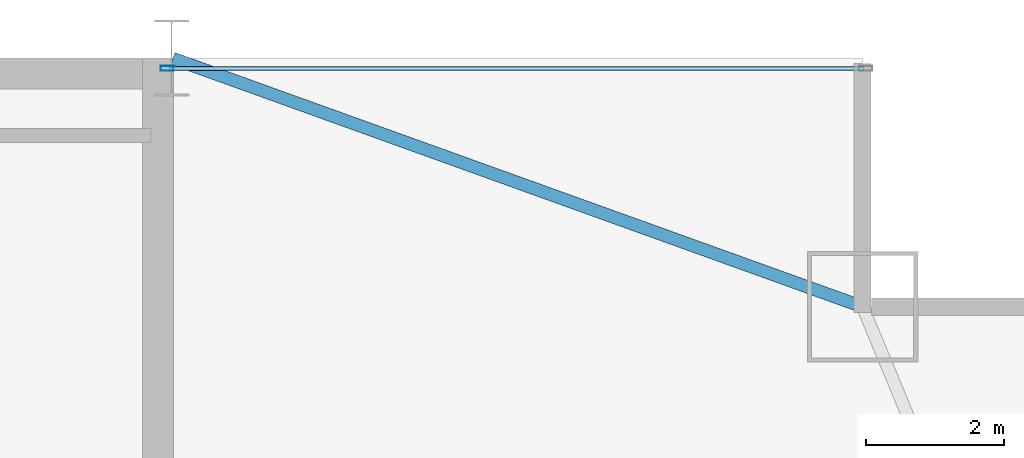
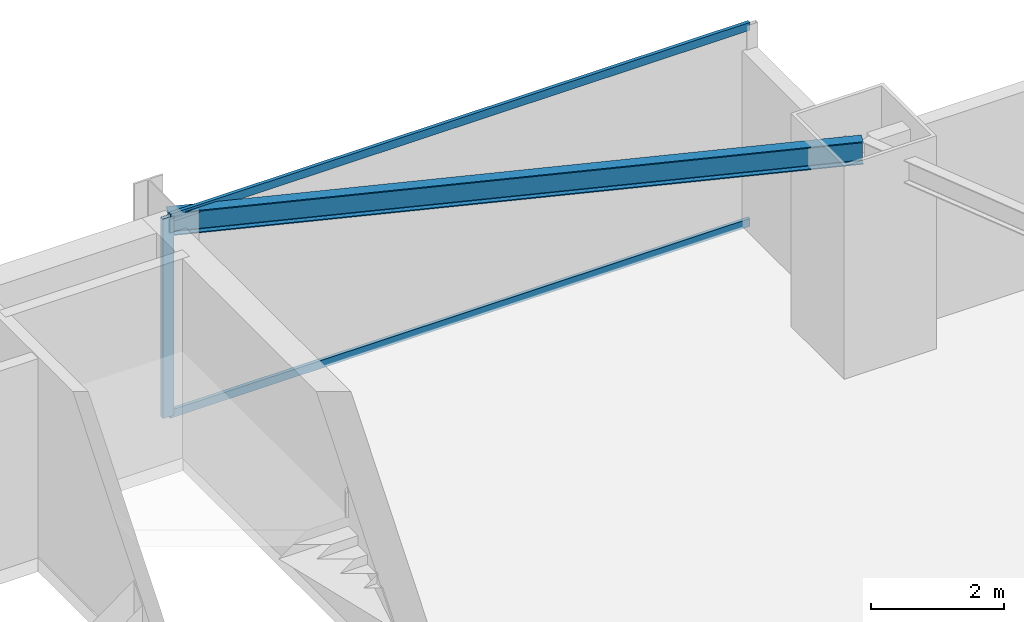
# One storey, part 23 of 35: 3 members, 1 beam, 1 element without a shape of its own.
"""IFC4 building model written with IfcOpenShell, lengths in metres."""

from ifc_helpers import new_model, si_unit, direction, frame, origin, origin_2d, place, context, subcontext, project, spatial, hollow_rectangle, i_section, extrude, source, transform, mapped, material, layer, layer_set, material_profile, profile_set, type_object, type_shapes, element, aggregate, save


model = new_model("IFC4")

# Units and contexts
model_context = context("Model", 3, precision=1e-05, world=origin(), true_north=direction((0.0, 1.0)))
body_context = subcontext(model_context, "Body", "Model", "MODEL_VIEW")
ifc_project = project(units=[si_unit("LENGTHUNIT", "METRE"), si_unit("AREAUNIT", "SQUARE_METRE"), si_unit("VOLUMEUNIT", "CUBIC_METRE"), si_unit("PLANEANGLEUNIT", "RADIAN"), si_unit("MASSUNIT", "GRAM", prefix="KILO")], contexts=[model_context])

# Site, building, storey
site_placement = place(None, origin())
site = spatial("IfcSite", under=ifc_project, at=site_placement, CompositionType="ELEMENT")
building_placement = place(site_placement, origin())
building = spatial("IfcBuilding", under=site, at=building_placement, Name="Varnel Quay Broadcast Tower", CompositionType="ELEMENT")
storey_placement = place(building_placement, frame((0.0, 0.0, 66.60009765625)))
storey = spatial("IfcBuildingStorey", under=building, at=storey_placement, Name="L15", CompositionType="ELEMENT", Elevation=66.60009765625)

# Beam
ifc_material_1 = material(Name="Structural Steel CSA G40.21 350W", Category="steel")
ifc_material_profile_1 = material_profile(ifc_material_1, i_section(OverallWidth=0.180908203125, OverallDepth=0.4169921875, WebThickness=0.010986328125, FlangeThickness=0.018310546875, FilletRadius=0.011962890625, at=origin_2d()), Name="W410X85")
ifc_profile_set_1 = profile_set([ifc_material_profile_1], Name="Structural Steel CSA G40.21 350W")
beam_type = type_object("IfcBeamType", Name="Beam_W410X85", PredefinedType="SPANDREL", material=ifc_profile_set_1)
shared_shape_1 = source(origin(), body_context, "Body", "SweptSolid", [
    extrude(i_section(OverallWidth=0.180908203125, OverallDepth=0.4169921875, WebThickness=0.010986328125, FlangeThickness=0.018310546875, FilletRadius=0.011962890625, at=origin_2d()), origin(), (0.0, 0.0, 1.0), 10.58837890625),
])
type_shapes(beam_type, [shared_shape_1])
beam_placement = place(storey_placement, frame((52.418701171875, 46.793212890625, 3.44140625), z_axis=(0.940888587605, -0.338716202321, 0.0), x_axis=(0.338716202321, 0.940888587605, 0.0)))
element("IfcBeam", 1, at=beam_placement, inside=storey, type_object=beam_type, Name="L15 NE Tie Spandrel", PredefinedType="SPANDREL", context=body_context, shape_type="MappedRepresentation", body=[
    mapped(shared_shape_1, transform((0.0, 0.0, 0.0), x_axis=(1.0, 0.0, 0.0), y_axis=(0.0, 1.0, 0.0), z_axis=(0.0, 0.0, 1.0), scale=1.0)),
])

# Curtain wall, members
ifc_material_2 = material(Name="Anodised Bronze Aluminium 6063-T6", Category="aluminium")
ifc_layer = layer(ifc_material_2, 0.18994140625, Name="Anodised Bronze Aluminium 6063-T6")
ifc_layer_set = layer_set([ifc_layer], Name="Anodised Bronze Aluminium 6063-T6")
curtain_wall_type = type_object("IfcCurtainWallType", Name="CW_LowerTower", PredefinedType="NOTDEFINED", material=ifc_layer_set)
curtain_wall_placement = place(storey_placement, origin())
curtain_wall = element("IfcCurtainWall", 2, at=curtain_wall_placement, inside=storey, type_object=curtain_wall_type, Name="L15 NE Wing Curtain Wall", PredefinedType="NOTDEFINED")
ifc_material_profile_2 = material_profile(ifc_material_2, hollow_rectangle(XDim=0.070068359375, YDim=0.18994140625, WallThickness=0.00390625, at=origin_2d()), Name="ALU70X190X4")
ifc_profile_set_2 = profile_set([ifc_material_profile_2], Name="Anodised Bronze Aluminium 6063-T6")
member_type_1 = type_object("IfcMemberType", Name="Mull_CWS-02", PredefinedType="MULLION", material=ifc_profile_set_2)
shared_shape_2 = source(origin(), body_context, "Body", "SweptSolid", [
    extrude(hollow_rectangle(XDim=0.070068359375, YDim=0.18994140625, WallThickness=0.00390625, at=origin_2d()), origin(), (0.0, 0.0, 1.0), 3.64990234375),
])
type_shapes(member_type_1, [shared_shape_2])
member_1_placement = place(storey_placement, frame((52.3349609375, 46.64990234375, 0.0), z_axis=(0.0, 0.0, 1.0), x_axis=(0.0, 1.0, 0.0)))
member_1 = element("IfcMember", 3, at=member_1_placement, type_object=member_type_1, Name="CWS-02 mullion 1", PredefinedType="MULLION", context=body_context, shape_type="MappedRepresentation", body=[
    mapped(shared_shape_2, transform((0.0, 0.0, 0.0), x_axis=(1.0, 0.0, 0.0), y_axis=(0.0, 1.0, 0.0), z_axis=(0.0, 0.0, 1.0), scale=1.0)),
])
ifc_material_profile_3 = material_profile(ifc_material_2, hollow_rectangle(XDim=0.06005859375, YDim=0.14501953125, WallThickness=0.00341796875, at=origin_2d()), Name="ALU60X145X3.5")
ifc_profile_set_3 = profile_set([ifc_material_profile_3], Name="Anodised Bronze Aluminium 6063-T6")
member_type_2 = type_object("IfcMemberType", Name="Tran_CWS-02", PredefinedType="USERDEFINED", material=ifc_profile_set_3)
shared_shape_3 = source(origin(), body_context, "Body", "SweptSolid", [
    extrude(hollow_rectangle(XDim=0.06005859375, YDim=0.14501953125, WallThickness=0.00341796875, at=origin_2d()), origin(), (0.0, 0.0, 1.0), 10.039794921875),
])
type_shapes(member_type_2, [shared_shape_3])
member_2_placement = place(storey_placement, frame((52.3701171875, 46.64990234375, 0.02978515625), z_axis=(1.0, 0.0, 0.0), x_axis=(0.0, 1.0, 0.0)))
member_2 = element("IfcMember", 4, at=member_2_placement, type_object=member_type_2, Name="CWS-02 transom 1.1", ObjectType="TRANSOM", PredefinedType="USERDEFINED", context=body_context, shape_type="MappedRepresentation", body=[
    mapped(shared_shape_3, transform((0.0, 0.0, 0.0), x_axis=(1.0, 0.0, 0.0), y_axis=(0.0, 1.0, 0.0), z_axis=(0.0, 0.0, 1.0), scale=1.0)),
])
member_3_placement = place(storey_placement, frame((52.3701171875, 46.64990234375, 3.619873046875), z_axis=(1.0, 0.0, 0.0), x_axis=(0.0, 1.0, 0.0)))
member_3 = element("IfcMember", 5, at=member_3_placement, type_object=member_type_2, Name="CWS-02 transom 1.2", ObjectType="TRANSOM", PredefinedType="USERDEFINED", context=body_context, shape_type="MappedRepresentation", body=[
    mapped(shared_shape_3, transform((0.0, 0.0, 0.0), x_axis=(1.0, 0.0, 0.0), y_axis=(0.0, 1.0, 0.0), z_axis=(0.0, 0.0, 1.0), scale=1.0)),
])
aggregate(curtain_wall, [member_1, member_2, member_3])

save(model, "model.ifc")
